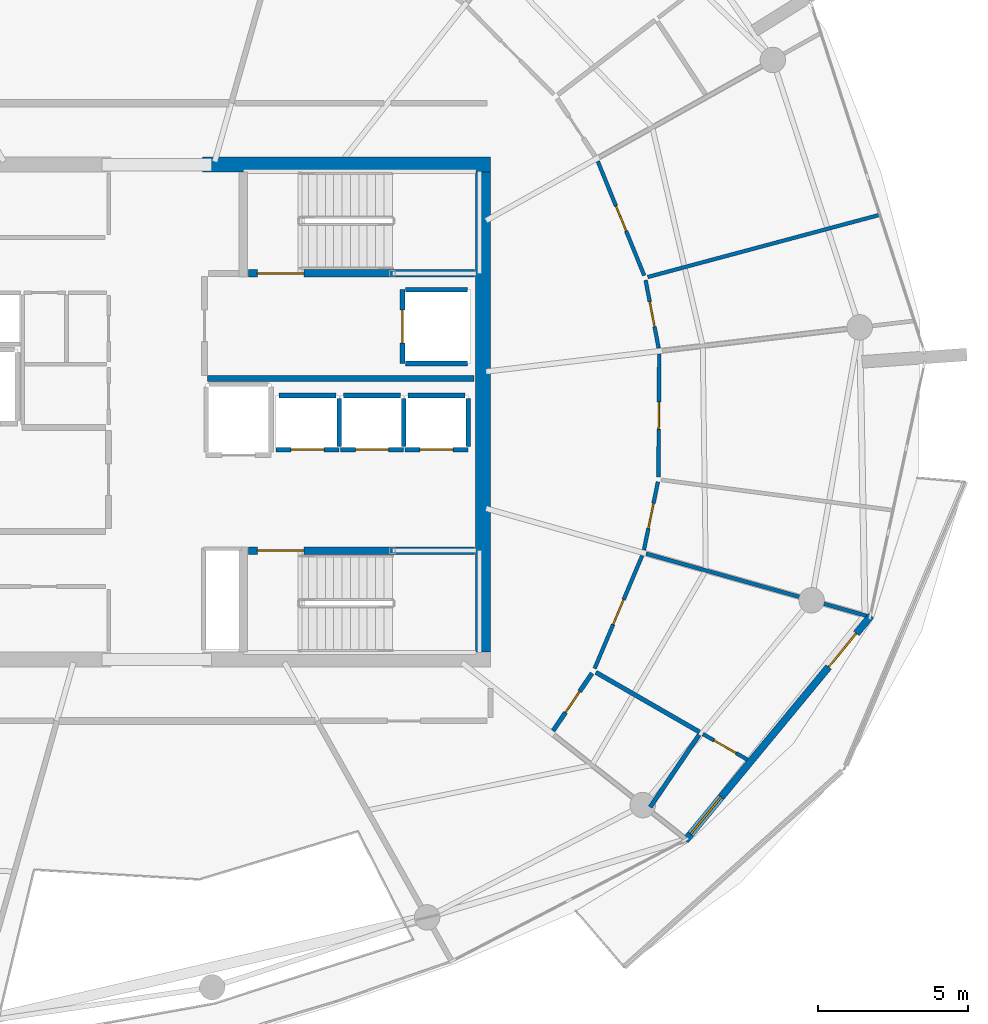
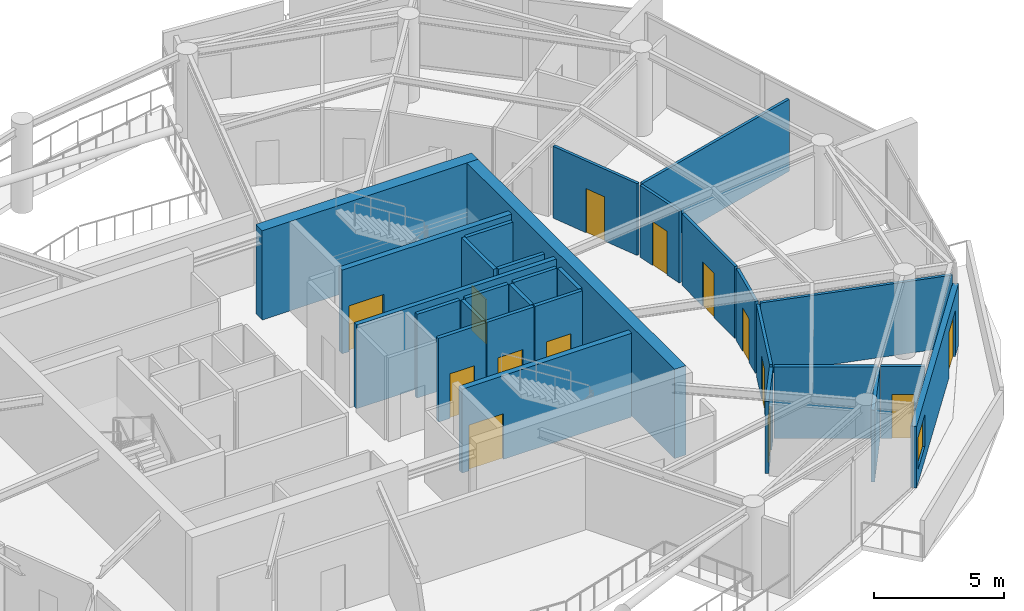
# One storey, part 15 of 22: 29 walls, 14 doors, 1 window, 15 openings.
"""IFC4 building model written with IfcOpenShell, lengths in metres."""

from ifc_helpers import new_model, si_unit, direction, frame, frame_2d, origin, place, context, subcontext, project, spatial, rectangle, extrude, material, layer, layer_set, type_object, element, fill, save


model = new_model("IFC4")

# Units and contexts
model_context = context("Model", 3, precision=1e-05, world=origin(), true_north=direction((0.0, 1.0)))
body_context = subcontext(model_context, "Body", "Model", "MODEL_VIEW")
ifc_project = project(units=[si_unit("LENGTHUNIT", "METRE"), si_unit("AREAUNIT", "SQUARE_METRE"), si_unit("VOLUMEUNIT", "CUBIC_METRE"), si_unit("PLANEANGLEUNIT", "RADIAN"), si_unit("MASSUNIT", "GRAM", prefix="KILO")], contexts=[model_context])

# Site, building, storey
site_placement = place(None, origin())
site = spatial("IfcSite", under=ifc_project, at=site_placement, CompositionType="ELEMENT")
building_placement = place(site_placement, origin())
building = spatial("IfcBuilding", under=site, at=building_placement, Name="Kazma Halo Residences", CompositionType="ELEMENT")
storey_placement = place(building_placement, frame((0.0, 0.0, 322.10009765625)))
storey = spatial("IfcBuildingStorey", under=building, at=storey_placement, Name="L81", CompositionType="ELEMENT", Elevation=322.10009765625)

# Walls
ifc_material_1 = material(Name="Concrete C60/75", Category="concrete")
ifc_layer_1 = layer(ifc_material_1, 0.5)
ifc_layer_set_1 = layer_set([ifc_layer_1], Name="Concrete C60/75")
wall_type_1 = type_object("IfcWallType", Name="WL-CORE-500", PredefinedType="SHEAR", material=ifc_layer_set_1)
wall_1_placement = place(storey_placement, frame((49.949951171875, 50.25, 0.0), z_axis=(0.0, 0.0, 1.0), x_axis=(1.0, 0.0, 0.0)))
element("IfcWall", 1, at=wall_1_placement, inside=storey, type_object=wall_type_1, Name="L81 central core shear wall NE", PredefinedType="SHEAR", context=body_context, shape_type="SweptSolid", body=[
    extrude(rectangle(XDim=9.60009765625, YDim=0.5, at=frame_2d((4.800048828125, 0.0))), origin(), (0.0, 0.0, 1.0), 4.199951171875),
])
wall_2_placement = place(storey_placement, frame((59.300048828125, 34.0, 0.0), z_axis=(0.0, 0.0, 1.0), x_axis=(0.0, 1.0, 0.0)))
element("IfcWall", 2, at=wall_2_placement, inside=storey, type_object=wall_type_1, Name="L81 central core shear wall E", PredefinedType="SHEAR", context=body_context, shape_type="SweptSolid", body=[
    extrude(rectangle(XDim=16.0, YDim=0.5, at=frame_2d((8.0, 0.0))), origin(), (0.0, 0.0, 1.0), 4.199951171875),
])

# Wall, openings, door, window
ifc_material_2 = material(Name="Insulated Pale-Metal Composite Wall")
ifc_layer_2 = layer(ifc_material_2, 0.239990234375)
ifc_layer_set_2 = layer_set([ifc_layer_2], Name="Insulated Pale-Metal Composite Wall")
wall_type_2 = type_object("IfcWallType", Name="WL-EXT-HOST-240", PredefinedType="SOLIDWALL", material=ifc_layer_set_2)
wall_3_placement = place(storey_placement, frame((66.044677734375, 27.711181640625, 0.0), z_axis=(0.0, 0.0, 1.0), x_axis=(0.636803612721, 0.771026042897, 0.0)))
wall_3 = element("IfcWall", 3, at=wall_3_placement, inside=storey, type_object=wall_type_2, Name="L81 exterior terrace-access wall B14", PredefinedType="SOLIDWALL", context=body_context, shape_type="SweptSolid", body=[
    extrude(rectangle(XDim=9.7275390625, YDim=0.239990234375, at=frame_2d((4.86376953125, 0.0))), origin(), (0.0, 0.0, 1.0), 2.889892578125),
])
opening_1_placement = place(wall_3_placement, frame((7.5078125, 0.0, 0.0)))
opening_1 = element("IfcOpeningElement", 4, at=opening_1_placement, cuts=wall_3, Name="Opening DTR-1600", PredefinedType="OPENING", context=body_context, shape_type="SweptSolid", body=[
    extrude(rectangle(XDim=1.449951171875, YDim=2.14990234375, at=frame_2d((0.72509765625, 1.074951171875))), frame((0.0, 0.1298828125, 0.0), z_axis=(0.0, -1.0, 0.0), x_axis=(1.0, 0.0, 0.0)), (0.0, 0.0, 1.0), 0.260009765625),
])
opening_2_placement = place(wall_3_placement, frame((0.280029296875, 0.0, 0.64990234375)))
opening_2 = element("IfcOpeningElement", 5, at=opening_2_placement, cuts=wall_3, Name="Opening W-1800", PredefinedType="OPENING", context=body_context, shape_type="SweptSolid", body=[
    extrude(rectangle(XDim=1.60009765625, YDim=1.5, at=frame_2d((0.800048828125, 0.75))), frame((0.0, 0.1298828125, 0.0), z_axis=(0.0, -1.0, 0.0), x_axis=(1.0, 0.0, 0.0)), (0.0, 0.0, 1.0), 0.260009765625),
])
ifc_material_3 = material(Name="Aluminium AW-6063 T6 Double-Glazed Terrace Door", Category="aluminium")
door_type_1 = type_object("IfcDoorType", Name="DR-EXT-TERR-1600", OperationType="NOTDEFINED", PredefinedType="DOOR", material=ifc_material_3)
door_1_placement = place(opening_1_placement, origin())
door_1 = element("IfcDoor", 6, at=door_1_placement, inside=storey, type_object=door_type_1, Name="L81 B14 balcony terrace door", OperationType="DOUBLE_DOOR_SLIDING", OverallHeight=2.14990234375, OverallWidth=1.449951171875, PredefinedType="DOOR", context=body_context, shape_type="SweptSolid", body=[
    extrude(rectangle(XDim=1.449951171875, YDim=2.14990234375, at=frame_2d((0.72509765625, 1.074951171875))), frame((0.0, 0.02490234375, 0.0), z_axis=(0.0, -1.0, 0.0), x_axis=(1.0, 0.0, 0.0)), (0.0, 0.0, 1.0), 0.050048828125),
])
fill(opening_1, door_1)
ifc_material_4 = material(Name="Clear Triple-Silver Low-E Glass in Aluminium AW-6063 T6 Frame", Category="aluminium")
window_type = type_object("IfcWindowType", Name="WIN-RES-1800", PartitioningType="DOUBLE_PANEL_VERTICAL", PredefinedType="WINDOW", material=ifc_material_4)
window_placement = place(opening_2_placement, origin())
window = element("IfcWindow", 7, at=window_placement, inside=storey, type_object=window_type, Name="L81 B14 apartment window", OverallHeight=1.5, OverallWidth=1.60009765625, PartitioningType="SINGLE_PANEL", PredefinedType="WINDOW", context=body_context, shape_type="SweptSolid", body=[
    extrude(rectangle(XDim=1.60009765625, YDim=1.5, at=frame_2d((0.800048828125, 0.75))), frame((0.0, 0.030029296875, 0.0), z_axis=(0.0, -1.0, 0.0), x_axis=(1.0, 0.0, 0.0)), (0.0, 0.0, 1.0), 0.06005859375),
])
fill(opening_2, window)

# Wall, opening, door
ifc_material_5 = material(Name="Fire-Rated Blockwork Masonry", Category="masonry")
ifc_layer_3 = layer(ifc_material_5, 0.199951171875)
ifc_layer_set_3 = layer_set([ifc_layer_3], Name="Fire-Rated Blockwork Masonry")
wall_type_3 = type_object("IfcWallType", Name="WL-FLB-200", PredefinedType="PARTITIONING", material=ifc_layer_set_3)
wall_4_placement = place(storey_placement, frame((54.5048828125, 40.7451171875, 0.0), z_axis=(0.0, 0.0, 1.0), x_axis=(-1.0, 0.0, 0.0)))
wall_4 = element("IfcWall", 8, at=wall_4_placement, inside=storey, type_object=wall_type_3, Name="L81 lift shaft PH-01 front wall", PredefinedType="PARTITIONING", context=body_context, shape_type="SweptSolid", body=[
    extrude(rectangle(XDim=2.10986328125, YDim=0.159912109375, at=frame_2d((1.054931640625, 0.0))), origin(), (0.0, 0.0, 1.0), 3.93994140625),
])
opening_3_placement = place(wall_4_placement, frame((0.5048828125, 0.0, 0.0)))
opening_3 = element("IfcOpeningElement", 9, at=opening_3_placement, cuts=wall_4, Name="Opening LD-PH-01", PredefinedType="OPENING", context=body_context, shape_type="SweptSolid", body=[
    extrude(rectangle(XDim=1.10009765625, YDim=2.10009765625, at=frame_2d((0.550048828125, 1.050048828125))), frame((0.0, 0.08984375, 0.0), z_axis=(0.0, -1.0, 0.0), x_axis=(1.0, 0.0, 0.0)), (0.0, 0.0, 1.0), 0.179931640625),
])
ifc_material_6 = material(Name="Stainless Steel Fire-Rated", Category="steel")
door_type_2 = type_object("IfcDoorType", Name="DR-LIFT-SLD-1100", OperationType="DOUBLE_DOOR_SLIDING", PredefinedType="DOOR", material=ifc_material_6)
door_2_placement = place(opening_3_placement, origin())
door_2 = element("IfcDoor", 10, at=door_2_placement, inside=storey, type_object=door_type_2, Name="L81 lift PH-01 sliding landing door", OperationType="DOUBLE_DOOR_SLIDING", OverallHeight=2.10009765625, OverallWidth=1.10009765625, PredefinedType="DOOR", context=body_context, shape_type="SweptSolid", body=[
    extrude(rectangle(XDim=1.10009765625, YDim=2.10009765625, at=frame_2d((0.550048828125, 1.050048828125))), frame((0.0, 0.02490234375, 0.0), z_axis=(0.0, -1.0, 0.0), x_axis=(1.0, 0.0, 0.0)), (0.0, 0.0, 1.0), 0.050048828125),
])
fill(opening_3, door_2)

# Walls
wall_5_placement = place(storey_placement, frame((54.5048828125, 40.844970703125, 0.0), z_axis=(0.0, 0.0, 1.0), x_axis=(0.0, 1.0, 0.0)))
element("IfcWall", 11, at=wall_5_placement, inside=storey, type_object=wall_type_3, Name="L81 lift shaft PH-01 side wall E", PredefinedType="PARTITIONING", context=body_context, shape_type="SweptSolid", body=[
    extrude(rectangle(XDim=1.610107421875, YDim=0.159912109375, at=frame_2d((0.80517578125, 0.0))), origin(), (0.0, 0.0, 1.0), 3.93994140625),
])
wall_6_placement = place(storey_placement, frame((52.4951171875, 42.554931640625, 0.0), z_axis=(0.0, 0.0, 1.0), x_axis=(1.0, 0.0, 0.0)))
element("IfcWall", 12, at=wall_6_placement, inside=storey, type_object=wall_type_3, Name="L81 lift shaft PH-01 side wall N", PredefinedType="PARTITIONING", context=body_context, shape_type="SweptSolid", body=[
    extrude(rectangle(XDim=1.909912109375, YDim=0.159912109375, at=frame_2d((0.955078125, 0.0))), origin(), (0.0, 0.0, 1.0), 3.93994140625),
])

# Wall, opening, door
wall_7_placement = place(storey_placement, frame((56.655029296875, 40.7451171875, 0.0), z_axis=(0.0, 0.0, 1.0), x_axis=(-1.0, 0.0, 0.0)))
wall_7 = element("IfcWall", 13, at=wall_7_placement, inside=storey, type_object=wall_type_3, Name="L81 lift shaft PH-02 front wall", PredefinedType="PARTITIONING", context=body_context, shape_type="SweptSolid", body=[
    extrude(rectangle(XDim=2.110107421875, YDim=0.159912109375, at=frame_2d((1.05517578125, 0.0))), origin(), (0.0, 0.0, 1.0), 3.93994140625),
])
opening_4_placement = place(wall_7_placement, frame((0.5048828125, 0.0, 0.0)))
opening_4 = element("IfcOpeningElement", 14, at=opening_4_placement, cuts=wall_7, Name="Opening LD-PH-02", PredefinedType="OPENING", context=body_context, shape_type="SweptSolid", body=[
    extrude(rectangle(XDim=1.10009765625, YDim=2.10009765625, at=frame_2d((0.550048828125, 1.050048828125))), frame((0.0, 0.08984375, 0.0), z_axis=(0.0, -1.0, 0.0), x_axis=(1.0, 0.0, 0.0)), (0.0, 0.0, 1.0), 0.179931640625),
])
door_3_placement = place(opening_4_placement, origin())
door_3 = element("IfcDoor", 15, at=door_3_placement, inside=storey, type_object=door_type_2, Name="L81 lift PH-02 sliding landing door", OperationType="DOUBLE_DOOR_SLIDING", OverallHeight=2.10009765625, OverallWidth=1.10009765625, PredefinedType="DOOR", context=body_context, shape_type="SweptSolid", body=[
    extrude(rectangle(XDim=1.10009765625, YDim=2.10009765625, at=frame_2d((0.550048828125, 1.050048828125))), frame((0.0, 0.02490234375, 0.0), z_axis=(0.0, -1.0, 0.0), x_axis=(1.0, 0.0, 0.0)), (0.0, 0.0, 1.0), 0.050048828125),
])
fill(opening_4, door_3)

# Walls
wall_8_placement = place(storey_placement, frame((56.655029296875, 40.844970703125, 0.0), z_axis=(0.0, 0.0, 1.0), x_axis=(0.0, 1.0, 0.0)))
element("IfcWall", 16, at=wall_8_placement, inside=storey, type_object=wall_type_3, Name="L81 lift shaft PH-02 side wall E", PredefinedType="PARTITIONING", context=body_context, shape_type="SweptSolid", body=[
    extrude(rectangle(XDim=1.610107421875, YDim=0.159912109375, at=frame_2d((0.80517578125, 0.0))), origin(), (0.0, 0.0, 1.0), 3.93994140625),
])
wall_9_placement = place(storey_placement, frame((54.64501953125, 42.554931640625, 0.0), z_axis=(0.0, 0.0, 1.0), x_axis=(1.0, 0.0, 0.0)))
element("IfcWall", 17, at=wall_9_placement, inside=storey, type_object=wall_type_3, Name="L81 lift shaft PH-02 side wall N", PredefinedType="PARTITIONING", context=body_context, shape_type="SweptSolid", body=[
    extrude(rectangle(XDim=1.909912109375, YDim=0.159912109375, at=frame_2d((0.955078125, 0.0))), origin(), (0.0, 0.0, 1.0), 3.93994140625),
])

# Wall, opening, door
wall_10_placement = place(storey_placement, frame((58.804931640625, 40.7451171875, 0.0), z_axis=(0.0, 0.0, 1.0), x_axis=(-1.0, 0.0, 0.0)))
wall_10 = element("IfcWall", 18, at=wall_10_placement, inside=storey, type_object=wall_type_3, Name="L81 lift shaft PH-03 front wall", PredefinedType="PARTITIONING", context=body_context, shape_type="SweptSolid", body=[
    extrude(rectangle(XDim=2.10986328125, YDim=0.159912109375, at=frame_2d((1.054931640625, 0.0))), origin(), (0.0, 0.0, 1.0), 3.93994140625),
])
opening_5_placement = place(wall_10_placement, frame((0.5048828125, 0.0, 0.0)))
opening_5 = element("IfcOpeningElement", 19, at=opening_5_placement, cuts=wall_10, Name="Opening LD-PH-03", PredefinedType="OPENING", context=body_context, shape_type="SweptSolid", body=[
    extrude(rectangle(XDim=1.10009765625, YDim=2.10009765625, at=frame_2d((0.550048828125, 1.050048828125))), frame((0.0, 0.08984375, 0.0), z_axis=(0.0, -1.0, 0.0), x_axis=(1.0, 0.0, 0.0)), (0.0, 0.0, 1.0), 0.179931640625),
])
door_4_placement = place(opening_5_placement, origin())
door_4 = element("IfcDoor", 20, at=door_4_placement, inside=storey, type_object=door_type_2, Name="L81 lift PH-03 sliding landing door", OperationType="DOUBLE_DOOR_SLIDING", OverallHeight=2.10009765625, OverallWidth=1.10009765625, PredefinedType="DOOR", context=body_context, shape_type="SweptSolid", body=[
    extrude(rectangle(XDim=1.10009765625, YDim=2.10009765625, at=frame_2d((0.550048828125, 1.050048828125))), frame((0.0, 0.02490234375, 0.0), z_axis=(0.0, -1.0, 0.0), x_axis=(1.0, 0.0, 0.0)), (0.0, 0.0, 1.0), 0.050048828125),
])
fill(opening_5, door_4)

# Walls
wall_11_placement = place(storey_placement, frame((58.804931640625, 40.844970703125, 0.0), z_axis=(0.0, 0.0, 1.0), x_axis=(0.0, 1.0, 0.0)))
element("IfcWall", 21, at=wall_11_placement, inside=storey, type_object=wall_type_3, Name="L81 lift shaft PH-03 side wall E", PredefinedType="PARTITIONING", context=body_context, shape_type="SweptSolid", body=[
    extrude(rectangle(XDim=1.610107421875, YDim=0.159912109375, at=frame_2d((0.80517578125, 0.0))), origin(), (0.0, 0.0, 1.0), 3.93994140625),
])
wall_12_placement = place(storey_placement, frame((56.794921875, 42.554931640625, 0.0), z_axis=(0.0, 0.0, 1.0), x_axis=(1.0, 0.0, 0.0)))
element("IfcWall", 22, at=wall_12_placement, inside=storey, type_object=wall_type_3, Name="L81 lift shaft PH-03 side wall N", PredefinedType="PARTITIONING", context=body_context, shape_type="SweptSolid", body=[
    extrude(rectangle(XDim=1.91015625, YDim=0.159912109375, at=frame_2d((0.955078125, 0.0))), origin(), (0.0, 0.0, 1.0), 3.93994140625),
])

# Wall, opening, door
wall_13_placement = place(storey_placement, frame((56.6201171875, 46.080078125, 0.0), z_axis=(0.0, 0.0, 1.0), x_axis=(0.0, -1.0, 0.0)))
wall_13 = element("IfcWall", 23, at=wall_13_placement, inside=storey, type_object=wall_type_3, Name="L81 lift shaft FL-02 front wall", PredefinedType="PARTITIONING", context=body_context, shape_type="SweptSolid", body=[
    extrude(rectangle(XDim=2.4599609375, YDim=0.159912109375, at=frame_2d((1.22998046875, 0.0))), origin(), (0.0, 0.0, 1.0), 3.93994140625),
])
opening_6_placement = place(wall_13_placement, frame((0.679931640625, 0.0, 0.0)))
opening_6 = element("IfcOpeningElement", 24, at=opening_6_placement, cuts=wall_13, Name="Opening LD-FL-02", PredefinedType="OPENING", context=body_context, shape_type="SweptSolid", body=[
    extrude(rectangle(XDim=1.10009765625, YDim=2.10009765625, at=frame_2d((0.550048828125, 1.050048828125))), frame((0.0, 0.08984375, 0.0), z_axis=(0.0, -1.0, 0.0), x_axis=(1.0, 0.0, 0.0)), (0.0, 0.0, 1.0), 0.179931640625),
])
door_5_placement = place(opening_6_placement, origin())
door_5 = element("IfcDoor", 25, at=door_5_placement, inside=storey, type_object=door_type_2, Name="L81 lift FL-02 sliding landing door", OperationType="DOUBLE_DOOR_SLIDING", OverallHeight=2.10009765625, OverallWidth=1.10009765625, PredefinedType="DOOR", context=body_context, shape_type="SweptSolid", body=[
    extrude(rectangle(XDim=1.10009765625, YDim=2.10009765625, at=frame_2d((0.550048828125, 1.050048828125))), frame((0.0, 0.02490234375, 0.0), z_axis=(0.0, -1.0, 0.0), x_axis=(1.0, 0.0, 0.0)), (0.0, 0.0, 1.0), 0.050048828125),
])
fill(opening_6, door_5)

# Walls
for number, where, z_axis, x_axis, name in (
    (26, (56.719970703125, 46.080078125, 0.0), (0.0, 0.0, 1.0), (1.0, 0.0, 0.0), "L81 lift shaft FL-02 side wall N"),
    (27, (56.719970703125, 43.6201171875, 0.0), (0.0, 0.0, 1.0), (1.0, 0.0, 0.0), "L81 lift shaft FL-02 side wall S"),
):
    element("IfcWall", number, at=place(storey_placement, frame(where, z_axis=z_axis, x_axis=x_axis)), inside=storey, type_object=wall_type_3, Name=name, PredefinedType="PARTITIONING", context=body_context, shape_type="SweptSolid", body=[
        extrude(rectangle(XDim=2.06005859375, YDim=0.159912109375, at=frame_2d((1.030029296875, 0.0))), origin(), (0.0, 0.0, 1.0), 3.93994140625),
    ])
wall_14_placement = place(storey_placement, frame((50.1201171875, 43.1201171875, 0.0), z_axis=(0.0, 0.0, 1.0), x_axis=(1.0, 0.0, 0.0)))
element("IfcWall", 28, at=wall_14_placement, inside=storey, type_object=wall_type_3, Name="L81 east firefighting lobby south smoke wall", PredefinedType="PARTITIONING", context=body_context, shape_type="SweptSolid", body=[
    extrude(rectangle(XDim=8.8798828125, YDim=0.199951171875, at=frame_2d((4.43994140625, 0.0))), origin(), (0.0, 0.0, 1.0), 3.93994140625),
])

# Wall, opening, door
ifc_material_7 = material(Name="Gypsum Plasterboard Partition")
ifc_layer_4 = layer(ifc_material_7, 0.125)
ifc_layer_set_4 = layer_set([ifc_layer_4], Name="Gypsum Plasterboard Partition")
wall_type_4 = type_object("IfcWallType", Name="WL-PART-125", PredefinedType="PARTITIONING", material=ifc_layer_set_4)
wall_15_placement = place(storey_placement, frame((66.6337890625, 31.2646484375, 0.0), z_axis=(0.0, 0.0, 1.0), x_axis=(0.866444624685, -0.499273184094, 0.0)))
wall_15 = element("IfcWall", 29, at=wall_15_placement, inside=storey, type_object=wall_type_4, Name="L81 Penthouse 2 Household Store Room partition wall", PredefinedType="PARTITIONING", context=body_context, shape_type="SweptSolid", body=[
    extrude(rectangle(XDim=1.70947265625, YDim=0.125, at=frame_2d((0.854736328125, 0.0))), origin(), (0.0, 0.0, 1.0), 3.3798828125),
])
opening_7_placement = place(wall_15_placement, frame((0.4296875, 0.0, 0.0)))
opening_7 = element("IfcOpeningElement", 30, at=opening_7_placement, cuts=wall_15, Name="Opening DB-900", PredefinedType="OPENING", context=body_context, shape_type="SweptSolid", body=[
    extrude(rectangle(XDim=0.85009765625, YDim=2.06005859375, at=frame_2d((0.425048828125, 1.030029296875))), frame((0.0, 0.072509765625, 0.0), z_axis=(0.0, -1.0, 0.0), x_axis=(1.0, 0.0, 0.0)), (0.0, 0.0, 1.0), 0.14501953125),
])
ifc_material_8 = material(Name="Moisture-Sealed Timber Leaf", Category="wood")
door_type_3 = type_object("IfcDoorType", Name="DR-BTH-900", OperationType="NOTDEFINED", PredefinedType="DOOR", material=ifc_material_8)
door_6_placement = place(opening_7_placement, origin())
door_6 = element("IfcDoor", 31, at=door_6_placement, inside=storey, type_object=door_type_3, Name="L81 Penthouse 2 Household Store Room door", OperationType="SINGLE_SWING_RIGHT", OverallHeight=2.06005859375, OverallWidth=0.85009765625, PredefinedType="DOOR", context=body_context, shape_type="SweptSolid", body=[
    extrude(rectangle(XDim=0.85009765625, YDim=2.06005859375, at=frame_2d((0.425048828125, 1.030029296875))), frame((0.0, 0.02490234375, 0.0), z_axis=(0.0, -1.0, 0.0), x_axis=(1.0, 0.0, 0.0)), (0.0, 0.0, 1.0), 0.050048828125),
])
fill(opening_7, door_6)

wall_16_placement = place(storey_placement, frame((63.021484375, 33.448486328125, 0.0), z_axis=(0.0, 0.0, 1.0), x_axis=(0.388350881923, 0.921511580236, 0.0)))
wall_16 = element("IfcWall", 32, at=wall_16_placement, inside=storey, type_object=wall_type_4, Name="L81 Penthouse 2 Gourmet Kitchen hall wall", PredefinedType="PARTITIONING", context=body_context, shape_type="SweptSolid", body=[
    extrude(rectangle(XDim=4.0849609375, YDim=0.125, at=frame_2d((2.04248046875, 0.0))), origin(), (0.0, 0.0, 1.0), 3.3798828125),
])
opening_8_placement = place(wall_16_placement, frame((1.592529296875, 0.0, 0.0)))
opening_8 = element("IfcOpeningElement", 33, at=opening_8_placement, cuts=wall_16, Name="Opening DI-950", PredefinedType="OPENING", context=body_context, shape_type="SweptSolid", body=[
    extrude(rectangle(XDim=0.89990234375, YDim=2.080078125, at=frame_2d((0.449951171875, 1.0400390625))), frame((0.0, 0.072509765625, 0.0), z_axis=(0.0, -1.0, 0.0), x_axis=(1.0, 0.0, 0.0)), (0.0, 0.0, 1.0), 0.14501953125),
])
ifc_material_9 = material(Name="Timber Veneer Flush Leaf", Category="wood")
door_type_4 = type_object("IfcDoorType", Name="DR-INT-950", OperationType="NOTDEFINED", PredefinedType="DOOR", material=ifc_material_9)
door_7_placement = place(opening_8_placement, origin())
door_7 = element("IfcDoor", 34, at=door_7_placement, inside=storey, type_object=door_type_4, Name="L81 Penthouse 2 Gourmet Kitchen door", OperationType="SINGLE_SWING_LEFT", OverallHeight=2.080078125, OverallWidth=0.89990234375, PredefinedType="DOOR", context=body_context, shape_type="SweptSolid", body=[
    extrude(rectangle(XDim=0.89990234375, YDim=2.080078125, at=frame_2d((0.449951171875, 1.0400390625))), frame((0.0, 0.02490234375, 0.0), z_axis=(0.0, -1.0, 0.0), x_axis=(1.0, 0.0, 0.0)), (0.0, 0.0, 1.0), 0.050048828125),
])
fill(opening_8, door_7)

# Wall
wall_17_placement = place(storey_placement, frame((64.742919921875, 37.278076171875, 0.0), z_axis=(0.0, 0.0, 1.0), x_axis=(0.962455248497, -0.271440407162, 0.0)))
element("IfcWall", 35, at=wall_17_placement, inside=storey, type_object=wall_type_4, Name="L81 Penthouse 2 radial partition 14", PredefinedType="PARTITIONING", context=body_context, shape_type="SweptSolid", body=[
    extrude(rectangle(XDim=7.630615234375, YDim=0.125, at=frame_2d((3.8154296875, 0.0))), origin(), (0.0, 0.0, 1.0), 3.3798828125),
])

# Wall, opening, door
wall_18_placement = place(storey_placement, frame((64.666748046875, 37.4033203125, 0.0), z_axis=(0.0, 0.0, 1.0), x_axis=(0.201239677413, 0.979542031888, 0.0)))
wall_18 = element("IfcWall", 36, at=wall_18_placement, inside=storey, type_object=wall_type_4, Name="L81 Penthouse 2 Primary Wine Pantry Store hall wall", PredefinedType="PARTITIONING", context=body_context, shape_type="SweptSolid", body=[
    extrude(rectangle(XDim=2.317138671875, YDim=0.125, at=frame_2d((1.15869140625, 0.0))), origin(), (0.0, 0.0, 1.0), 3.3798828125),
])
opening_9_placement = place(wall_18_placement, frame((0.733642578125, 0.0, 0.0)))
opening_9 = element("IfcOpeningElement", 37, at=opening_9_placement, cuts=wall_18, Name="Opening DB-900", PredefinedType="OPENING", context=body_context, shape_type="SweptSolid", body=[
    extrude(rectangle(XDim=0.85009765625, YDim=2.06005859375, at=frame_2d((0.425048828125, 1.030029296875))), frame((0.0, 0.072509765625, 0.0), z_axis=(0.0, -1.0, 0.0), x_axis=(1.0, 0.0, 0.0)), (0.0, 0.0, 1.0), 0.14501953125),
])
door_8_placement = place(opening_9_placement, origin())
door_8 = element("IfcDoor", 38, at=door_8_placement, inside=storey, type_object=door_type_3, Name="L81 Penthouse 2 Primary Wine Pantry Store door", OperationType="SINGLE_SWING_RIGHT", OverallHeight=2.06005859375, OverallWidth=0.85009765625, PredefinedType="DOOR", context=body_context, shape_type="SweptSolid", body=[
    extrude(rectangle(XDim=0.85009765625, YDim=2.06005859375, at=frame_2d((0.425048828125, 1.030029296875))), frame((0.0, 0.02490234375, 0.0), z_axis=(0.0, -1.0, 0.0), x_axis=(1.0, 0.0, 0.0)), (0.0, 0.0, 1.0), 0.050048828125),
])
fill(opening_9, door_8)

wall_19_placement = place(storey_placement, frame((65.149658203125, 39.831298828125, 0.0), z_axis=(0.0, 0.0, 1.0), x_axis=(0.006309398222, 0.999980095549, 0.0)))
wall_19 = element("IfcWall", 39, at=wall_19_placement, inside=storey, type_object=wall_type_4, Name="L81 Penthouse 2 Secondary Formal Dining Room hall wall", PredefinedType="PARTITIONING", context=body_context, shape_type="SweptSolid", body=[
    extrude(rectangle(XDim=4.1015625, YDim=0.125, at=frame_2d((2.05078125, 0.0))), origin(), (0.0, 0.0, 1.0), 3.3798828125),
])
opening_10_placement = place(wall_19_placement, frame((1.600830078125, 0.0, 0.0)))
opening_10 = element("IfcOpeningElement", 40, at=opening_10_placement, cuts=wall_19, Name="Opening DI-950", PredefinedType="OPENING", context=body_context, shape_type="SweptSolid", body=[
    extrude(rectangle(XDim=0.89990234375, YDim=2.080078125, at=frame_2d((0.449951171875, 1.0400390625))), frame((0.0, 0.072509765625, 0.0), z_axis=(0.0, -1.0, 0.0), x_axis=(1.0, 0.0, 0.0)), (0.0, 0.0, 1.0), 0.14501953125),
])
door_9_placement = place(opening_10_placement, origin())
door_9 = element("IfcDoor", 41, at=door_9_placement, inside=storey, type_object=door_type_4, Name="L81 Penthouse 2 Secondary Formal Dining Room door", OperationType="SINGLE_SWING_LEFT", OverallHeight=2.080078125, OverallWidth=0.89990234375, PredefinedType="DOOR", context=body_context, shape_type="SweptSolid", body=[
    extrude(rectangle(XDim=0.89990234375, YDim=2.080078125, at=frame_2d((0.449951171875, 1.0400390625))), frame((0.0, 0.02490234375, 0.0), z_axis=(0.0, -1.0, 0.0), x_axis=(1.0, 0.0, 0.0)), (0.0, 0.0, 1.0), 0.050048828125),
])
fill(opening_10, door_9)

# Wall
wall_20_placement = place(storey_placement, frame((64.79296875, 46.501953125, 0.0), z_axis=(0.0, 0.0, 1.0), x_axis=(0.965891144679, 0.258948443964, 0.0)))
element("IfcWall", 42, at=wall_20_placement, inside=storey, type_object=wall_type_4, Name="L81 Penthouse 2 mid-bay wall 15", PredefinedType="PARTITIONING", context=body_context, shape_type="SweptSolid", body=[
    extrude(rectangle(XDim=7.987548828125, YDim=0.125, at=frame_2d((3.99365234375, 0.0))), origin(), (0.0, 0.0, 1.0), 3.3798828125),
])

# Wall, opening, door
wall_21_placement = place(storey_placement, frame((65.1572265625, 44.131103515625, 0.0), z_axis=(0.0, 0.0, 1.0), x_axis=(-0.188714144971, 0.982032062352, 0.0)))
wall_21 = element("IfcWall", 43, at=wall_21_placement, inside=storey, type_object=wall_type_4, Name="L81 Penthouse 2 East Dressing Wardrobe hall wall", PredefinedType="PARTITIONING", context=body_context, shape_type="SweptSolid", body=[
    extrude(rectangle(XDim=2.310546875, YDim=0.125, at=frame_2d((1.1552734375, 0.0))), origin(), (0.0, 0.0, 1.0), 3.3798828125),
])
opening_11_placement = place(wall_21_placement, frame((0.730224609375, 0.0, 0.0)))
opening_11 = element("IfcOpeningElement", 44, at=opening_11_placement, cuts=wall_21, Name="Opening DB-900", PredefinedType="OPENING", context=body_context, shape_type="SweptSolid", body=[
    extrude(rectangle(XDim=0.85009765625, YDim=2.06005859375, at=frame_2d((0.425048828125, 1.030029296875))), frame((0.0, 0.072509765625, 0.0), z_axis=(0.0, -1.0, 0.0), x_axis=(1.0, 0.0, 0.0)), (0.0, 0.0, 1.0), 0.14501953125),
])
door_10_placement = place(opening_11_placement, origin())
door_10 = element("IfcDoor", 45, at=door_10_placement, inside=storey, type_object=door_type_3, Name="L81 Penthouse 2 East Dressing Wardrobe door", OperationType="SINGLE_SWING_LEFT", OverallHeight=2.06005859375, OverallWidth=0.85009765625, PredefinedType="DOOR", context=body_context, shape_type="SweptSolid", body=[
    extrude(rectangle(XDim=0.85009765625, YDim=2.06005859375, at=frame_2d((0.425048828125, 1.030029296875))), frame((0.0, 0.02490234375, 0.0), z_axis=(0.0, -1.0, 0.0), x_axis=(1.0, 0.0, 0.0)), (0.0, 0.0, 1.0), 0.050048828125),
])
fill(opening_11, door_10)

wall_22_placement = place(storey_placement, frame((64.676025390625, 46.552734375, 0.0), z_axis=(0.0, 0.0, 1.0), x_axis=(-0.37668146291, 0.926342849867, 0.0)))
wall_22 = element("IfcWall", 46, at=wall_22_placement, inside=storey, type_object=wall_type_4, Name="L81 Penthouse 2 West Master Bedroom hall wall", PredefinedType="PARTITIONING", context=body_context, shape_type="SweptSolid", body=[
    extrude(rectangle(XDim=4.108642578125, YDim=0.125, at=frame_2d((2.05419921875, 0.0))), origin(), (0.0, 0.0, 1.0), 3.3798828125),
])
opening_12_placement = place(wall_22_placement, frame((1.604248046875, 0.0, 0.0)))
opening_12 = element("IfcOpeningElement", 47, at=opening_12_placement, cuts=wall_22, Name="Opening DI-950", PredefinedType="OPENING", context=body_context, shape_type="SweptSolid", body=[
    extrude(rectangle(XDim=0.89990234375, YDim=2.080078125, at=frame_2d((0.449951171875, 1.0400390625))), frame((0.0, 0.072509765625, 0.0), z_axis=(0.0, -1.0, 0.0), x_axis=(1.0, 0.0, 0.0)), (0.0, 0.0, 1.0), 0.14501953125),
])
door_11_placement = place(opening_12_placement, origin())
door_11 = element("IfcDoor", 48, at=door_11_placement, inside=storey, type_object=door_type_4, Name="L81 Penthouse 2 West Master Bedroom door", OperationType="SINGLE_SWING_RIGHT", OverallHeight=2.080078125, OverallWidth=0.89990234375, PredefinedType="DOOR", context=body_context, shape_type="SweptSolid", body=[
    extrude(rectangle(XDim=0.89990234375, YDim=2.080078125, at=frame_2d((0.449951171875, 1.0400390625))), frame((0.0, 0.02490234375, 0.0), z_axis=(0.0, -1.0, 0.0), x_axis=(1.0, 0.0, 0.0)), (0.0, 0.0, 1.0), 0.050048828125),
])
fill(opening_12, door_11)

ifc_material_10 = material(Name="Concrete C50/60", Category="concrete")
ifc_layer_5 = layer(ifc_material_10, 0.25)
ifc_layer_set_5 = layer_set([ifc_layer_5], Name="Concrete C50/60")
wall_type_5 = type_object("IfcWallType", Name="WL-SHF-250", PredefinedType="SOLIDWALL", material=ifc_layer_set_5)
wall_23_placement = place(storey_placement, frame((51.47998046875, 46.6201171875, 0.0), z_axis=(0.0, 0.0, 1.0), x_axis=(1.0, 0.0, 0.0)))
wall_23 = element("IfcWall", 49, at=wall_23_placement, inside=storey, type_object=wall_type_5, Name="L81 exit stair ST-02 enclosure wall", PredefinedType="SOLIDWALL", context=body_context, shape_type="SweptSolid", body=[
    extrude(rectangle(XDim=7.5400390625, YDim=0.25, at=frame_2d((3.77001953125, 0.0))), origin(), (0.0, 0.0, 1.0), 3.93994140625),
])
opening_13_placement = place(wall_23_placement, frame((0.300048828125, 0.0, 0.0)))
opening_13 = element("IfcOpeningElement", 50, at=opening_13_placement, cuts=wall_23, Name="Opening D-ST2", PredefinedType="OPENING", context=body_context, shape_type="SweptSolid", body=[
    extrude(rectangle(XDim=1.550048828125, YDim=2.14990234375, at=frame_2d((0.77490234375, 1.074951171875))), frame((0.0, 0.135009765625, 0.0), z_axis=(0.0, -1.0, 0.0), x_axis=(1.0, 0.0, 0.0)), (0.0, 0.0, 1.0), 0.27001953125),
])
ifc_material_11 = material(Name="Fire-Rated Double Steel Leaf", Category="steel")
door_type_5 = type_object("IfcDoorType", Name="DR-FD90-1550", OperationType="NOTDEFINED", PredefinedType="DOOR", material=ifc_material_11)
door_12_placement = place(opening_13_placement, origin())
door_12 = element("IfcDoor", 51, at=door_12_placement, inside=storey, type_object=door_type_5, Name="L81 exit stair ST-02 fire door", OperationType="DOUBLE_DOOR_SINGLE_SWING", OverallHeight=2.14990234375, OverallWidth=1.550048828125, PredefinedType="DOOR", context=body_context, shape_type="SweptSolid", body=[
    extrude(rectangle(XDim=1.550048828125, YDim=2.14990234375, at=frame_2d((0.77490234375, 1.074951171875))), frame((0.0, 0.02490234375, 0.0), z_axis=(0.0, -1.0, 0.0), x_axis=(1.0, 0.0, 0.0)), (0.0, 0.0, 1.0), 0.050048828125),
])
fill(opening_13, door_12)

wall_24_placement = place(storey_placement, frame((51.47998046875, 37.3798828125, 0.0), z_axis=(0.0, 0.0, 1.0), x_axis=(1.0, 0.0, 0.0)))
wall_24 = element("IfcWall", 52, at=wall_24_placement, inside=storey, type_object=wall_type_5, Name="L81 exit stair ST-03 enclosure wall", PredefinedType="SOLIDWALL", context=body_context, shape_type="SweptSolid", body=[
    extrude(rectangle(XDim=7.5400390625, YDim=0.25, at=frame_2d((3.77001953125, 0.0))), origin(), (0.0, 0.0, 1.0), 3.93994140625),
])
opening_14_placement = place(wall_24_placement, frame((0.300048828125, 0.0, 0.0)))
opening_14 = element("IfcOpeningElement", 53, at=opening_14_placement, cuts=wall_24, Name="Opening D-ST3", PredefinedType="OPENING", context=body_context, shape_type="SweptSolid", body=[
    extrude(rectangle(XDim=1.550048828125, YDim=2.14990234375, at=frame_2d((0.77490234375, 1.074951171875))), frame((0.0, 0.135009765625, 0.0), z_axis=(0.0, -1.0, 0.0), x_axis=(1.0, 0.0, 0.0)), (0.0, 0.0, 1.0), 0.27001953125),
])
door_13_placement = place(opening_14_placement, origin())
door_13 = element("IfcDoor", 54, at=door_13_placement, inside=storey, type_object=door_type_5, Name="L81 exit stair ST-03 fire door", OperationType="DOUBLE_DOOR_SINGLE_SWING", OverallHeight=2.14990234375, OverallWidth=1.550048828125, PredefinedType="DOOR", context=body_context, shape_type="SweptSolid", body=[
    extrude(rectangle(XDim=1.550048828125, YDim=2.14990234375, at=frame_2d((0.77490234375, 1.074951171875))), frame((0.0, 0.02490234375, 0.0), z_axis=(0.0, -1.0, 0.0), x_axis=(1.0, 0.0, 0.0)), (0.0, 0.0, 1.0), 0.050048828125),
])
fill(opening_14, door_13)

ifc_material_12 = material(Name="Moisture-Resistant Gypsum")
ifc_layer_6 = layer(ifc_material_12, 0.14990234375)
ifc_layer_set_6 = layer_set([ifc_layer_6], Name="Moisture-Resistant Gypsum")
wall_type_6 = type_object("IfcWallType", Name="WL-WET-150", PredefinedType="PARTITIONING", material=ifc_layer_set_6)
wall_25_placement = place(storey_placement, frame((61.638916015625, 31.375, 0.0), z_axis=(0.0, 0.0, 1.0), x_axis=(0.56062651507, 0.828068783738, 0.0)))
wall_25 = element("IfcWall", 55, at=wall_25_placement, inside=storey, type_object=wall_type_6, Name="L81 Penthouse 2 Guest Bathroom hall wall", PredefinedType="PARTITIONING", context=body_context, shape_type="SweptSolid", body=[
    extrude(rectangle(XDim=2.314208984375, YDim=0.14990234375, at=frame_2d((1.1572265625, 0.0))), origin(), (0.0, 0.0, 1.0), 3.3798828125),
])
opening_15_placement = place(wall_25_placement, frame((0.73193359375, 0.0, 0.0)))
opening_15 = element("IfcOpeningElement", 56, at=opening_15_placement, cuts=wall_25, Name="Opening DB-900", PredefinedType="OPENING", context=body_context, shape_type="SweptSolid", body=[
    extrude(rectangle(XDim=0.85009765625, YDim=2.06005859375, at=frame_2d((0.425048828125, 1.030029296875))), frame((0.0, 0.0849609375, 0.0), z_axis=(0.0, -1.0, 0.0), x_axis=(1.0, 0.0, 0.0)), (0.0, 0.0, 1.0), 0.169921875),
])
door_14_placement = place(opening_15_placement, origin())
door_14 = element("IfcDoor", 57, at=door_14_placement, inside=storey, type_object=door_type_3, Name="L81 Penthouse 2 Guest Bathroom door", OperationType="SINGLE_SWING_LEFT", OverallHeight=2.06005859375, OverallWidth=0.85009765625, PredefinedType="DOOR", context=body_context, shape_type="SweptSolid", body=[
    extrude(rectangle(XDim=0.85009765625, YDim=2.06005859375, at=frame_2d((0.425048828125, 1.030029296875))), frame((0.0, 0.02490234375, 0.0), z_axis=(0.0, -1.0, 0.0), x_axis=(1.0, 0.0, 0.0)), (0.0, 0.0, 1.0), 0.050048828125),
])
fill(opening_15, door_14)

# Walls
wall_26_placement = place(storey_placement, frame((64.873779296875, 28.824951171875, 0.0), z_axis=(0.0, 0.0, 1.0), x_axis=(0.560532780406, 0.82813223708, 0.0)))
element("IfcWall", 58, at=wall_26_placement, inside=storey, type_object=wall_type_6, Name="L81 Penthouse 2 Guest Bathroom back wall", PredefinedType="PARTITIONING", context=body_context, shape_type="SweptSolid", body=[
    extrude(rectangle(XDim=2.910400390625, YDim=0.14990234375, at=frame_2d((1.455078125, 0.0))), origin(), (0.0, 0.0, 1.0), 3.3798828125),
])
wall_27_placement = place(storey_placement, frame((63.064697265625, 33.32080078125, 0.0), z_axis=(0.0, 0.0, 1.0), x_axis=(0.866490095299, -0.499194265541, 0.0)))
element("IfcWall", 59, at=wall_27_placement, inside=storey, type_object=wall_type_6, Name="L81 Penthouse 2 Guest Bathroom side wall", PredefinedType="PARTITIONING", context=body_context, shape_type="SweptSolid", body=[
    extrude(rectangle(XDim=3.98876953125, YDim=0.14990234375, at=frame_2d((1.994384765625, 0.0))), origin(), (0.0, 0.0, 1.0), 3.3798828125),
])

save(model, "model.ifc")
